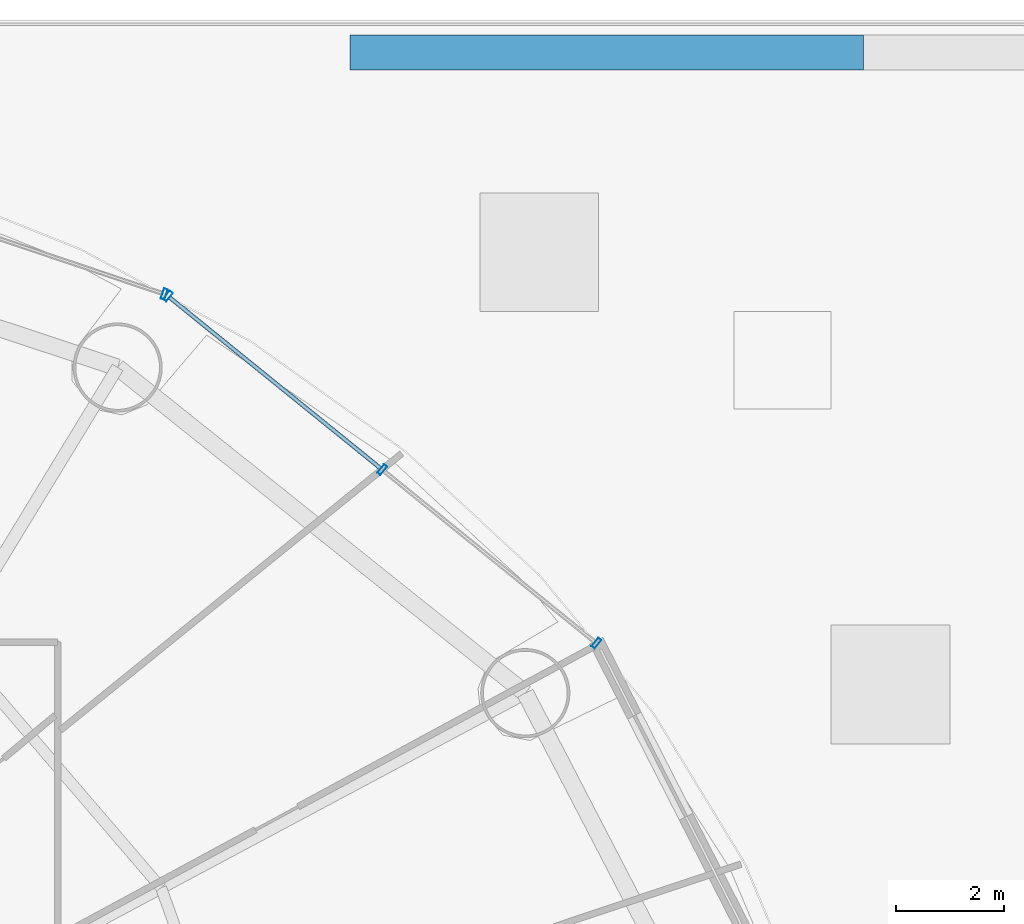
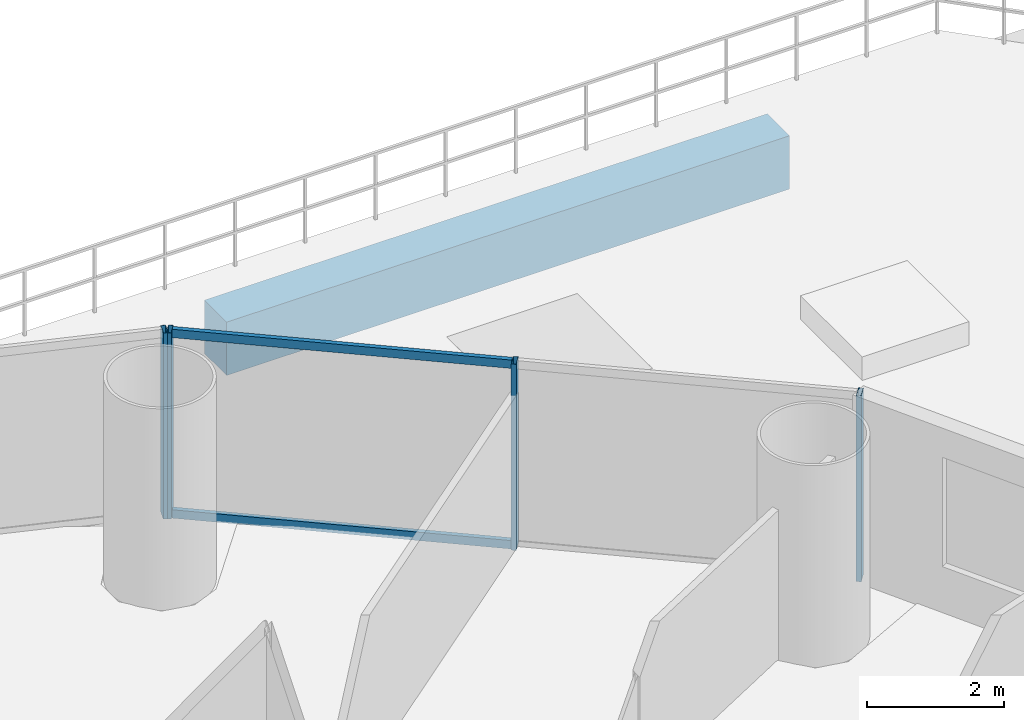
# One storey, part 28 of 37: 6 members, 1 beam, 2 elements without a shape of their own.
"""IFC4 building model written with IfcOpenShell, lengths in metres."""

from ifc_helpers import new_model, si_unit, direction, frame, origin, origin_2d, place, context, subcontext, project, spatial, rectangle, hollow_rectangle, extrude, source, transform, mapped, material, material_profile, profile_set, type_object, element, aggregate, save


model = new_model("IFC4")

# Units and contexts
model_context = context("Model", 3, precision=1e-05, world=origin(), true_north=direction((-0.2419218956, 0.970295726276)))
body_context = subcontext(model_context, "Body", "Model", "MODEL_VIEW")
ifc_project = project(units=[si_unit("LENGTHUNIT", "METRE"), si_unit("AREAUNIT", "SQUARE_METRE"), si_unit("VOLUMEUNIT", "CUBIC_METRE"), si_unit("PLANEANGLEUNIT", "RADIAN"), si_unit("MASSUNIT", "GRAM", prefix="KILO")], contexts=[model_context])

# Site, building, storey
site_placement = place(None, origin())
site = spatial("IfcSite", under=ifc_project, at=site_placement, CompositionType="ELEMENT")
building_placement = place(site_placement, origin())
building = spatial("IfcBuilding", under=site, at=building_placement, Name="Cobrevalo Terracotta Tower", CompositionType="ELEMENT")
storey_placement = place(building_placement, frame((0.0, 0.0, 24.0)))
storey = spatial("IfcBuildingStorey", under=building, at=storey_placement, Name="L05", CompositionType="ELEMENT", Elevation=24.0)

# Beam
ifc_material_1 = material(Name="Concrete C50", Category="concrete")
ifc_material_profile_1 = material_profile(ifc_material_1, rectangle(XDim=0.64990234375, YDim=0.949951171875, at=origin_2d()), Name="RC BM 650x950")
ifc_profile_set_1 = profile_set([ifc_material_profile_1], Name="Concrete C50")
beam_type = type_object("IfcBeamType", Name="Structural Spandrel RC BM 650x950 (Concrete C50)", PredefinedType="SPANDREL", material=ifc_profile_set_1)
beam_placement = place(storey_placement, frame((57.5, 50.800048828125, -0.7548828125), z_axis=(1.0, 0.0, 0.0), x_axis=(0.0, 1.0, 0.0)))
element("IfcBeam", 1, at=beam_placement, inside=storey, type_object=beam_type, Name="L05 podium grid beam G7-GG to G8-GG", PredefinedType="SPANDREL", context=body_context, shape_type="SweptSolid", body=[
    extrude(rectangle(XDim=0.64990234375, YDim=0.949951171875, at=origin_2d()), origin(), (0.0, 0.0, 1.0), 9.5),
])

# Curtain wall, members
ifc_material_2 = material(Name="Anodized aluminium", Category="aluminium")
curtain_wall_type = type_object("IfcCurtainWallType", Name="Lower-tower unitised acoustic low-E curtain wall CW-U1", PredefinedType="NOTDEFINED", material=ifc_material_2)
curtain_wall_1_placement = place(storey_placement, origin())
curtain_wall_1 = element("IfcCurtainWall", 2, at=curtain_wall_1_placement, inside=storey, type_object=curtain_wall_type, Name="L05 curtain wall CW-L05-S02", PredefinedType="NOTDEFINED")
ifc_material_profile_2 = material_profile(ifc_material_2, hollow_rectangle(XDim=0.074951171875, YDim=0.199951171875, WallThickness=0.0048828125, at=origin_2d()), Name="CWM 75x200")
ifc_profile_set_2 = profile_set([ifc_material_profile_2], Name="Anodized aluminium")
member_type_1 = type_object("IfcMemberType", Name="Lower/mid tower unitised mullion 75x200", PredefinedType="MULLION", material=ifc_profile_set_2)
shared_shape_1 = source(origin(), body_context, "Body", "SweptSolid", [
    extrude(hollow_rectangle(XDim=0.074951171875, YDim=0.199951171875, WallThickness=0.0048828125, at=origin_2d()), origin(), (0.0, 0.0, 1.0), 3.320068359375),
])
member_1_placement = place(storey_placement, frame((62.056640625, 39.864501953125, 0.0), z_axis=(0.0, 0.0, 1.0), x_axis=(-0.777003153187, 0.629496703675, 0.0)))
member_1 = element("IfcMember", 3, at=member_1_placement, type_object=member_type_1, Name="CW-L05-S02 vertical mullion 01", PredefinedType="MULLION", context=body_context, shape_type="MappedRepresentation", body=[
    mapped(shared_shape_1, transform((0.0, 0.0, 0.0), scale=1.0)),
])
member_2_placement = place(storey_placement, frame((58.09130859375, 43.076904296875, 0.0), z_axis=(0.0, 0.0, 1.0), x_axis=(-0.777003153187, 0.629496703675, 0.0)))
member_2 = element("IfcMember", 4, at=member_2_placement, type_object=member_type_1, Name="CW-L05-S02 vertical mullion 02", PredefinedType="MULLION", context=body_context, shape_type="MappedRepresentation", body=[
    mapped(shared_shape_1, transform((0.0, 0.0, 0.0), scale=1.0)),
])
member_3_placement = place(storey_placement, frame((54.1259765625, 46.289306640625, 0.0), z_axis=(0.0, 0.0, 1.0), x_axis=(-0.777003153187, 0.629496703675, 0.0)))
member_3 = element("IfcMember", 5, at=member_3_placement, type_object=member_type_1, Name="CW-L05-S02 vertical mullion 03", PredefinedType="MULLION", context=body_context, shape_type="MappedRepresentation", body=[
    mapped(shared_shape_1, transform((0.0, 0.0, 0.0), scale=1.0)),
])

# Curtain wall, member
curtain_wall_2_placement = place(storey_placement, origin())
curtain_wall_2 = element("IfcCurtainWall", 6, at=curtain_wall_2_placement, inside=storey, type_object=curtain_wall_type, Name="L05 curtain wall CW-L05-S03", PredefinedType="NOTDEFINED")
member_4_placement = place(storey_placement, frame((54.056884765625, 46.327392578125, 0.0), z_axis=(0.0, 0.0, 1.0), x_axis=(-0.948046393597, 0.318132103987, 0.0)))
member_4 = element("IfcMember", 7, at=member_4_placement, type_object=member_type_1, Name="CW-L05-S03 vertical mullion 01", PredefinedType="MULLION", context=body_context, shape_type="MappedRepresentation", body=[
    mapped(shared_shape_1, transform((0.0, 0.0, 0.0), scale=1.0)),
])
aggregate(curtain_wall_2, [member_4])

# Member
ifc_material_profile_3 = material_profile(ifc_material_2, hollow_rectangle(XDim=0.074951171875, YDim=0.14990234375, WallThickness=0.00439453125, at=origin_2d()), Name="CWT 75x150")
ifc_profile_set_3 = profile_set([ifc_material_profile_3], Name="Anodized aluminium")
member_type_2 = type_object("IfcMemberType", Name="Tower unitised aluminium transom 75x150", PredefinedType="USERDEFINED", material=ifc_profile_set_3)
shared_shape_2 = source(origin(), body_context, "Body", "SweptSolid", [
    extrude(hollow_rectangle(XDim=0.074951171875, YDim=0.14990234375, WallThickness=0.00439453125, at=origin_2d()), origin(), (0.0, 0.0, 1.0), 5.0234375),
])
member_5_placement = place(storey_placement, frame((58.060302734375, 43.10205078125, 0.050048828125), z_axis=(-0.777022991593, 0.629472215857, 0.0), x_axis=(-0.629472215857, -0.777022991593, 0.0)))
member_5 = element("IfcMember", 8, at=member_5_placement, type_object=member_type_2, Name="CW-L05-S02 transom B02-T1", ObjectType="TRANSOM", PredefinedType="USERDEFINED", context=body_context, shape_type="MappedRepresentation", body=[
    mapped(shared_shape_2, transform((0.0, 0.0, 0.0), scale=1.0)),
])

member_6_placement = place(storey_placement, frame((58.060302734375, 43.10205078125, 3.27001953125), z_axis=(-0.777022991593, 0.629472215857, 0.0), x_axis=(-0.629472215857, -0.777022991593, 0.0)))
member_6 = element("IfcMember", 9, at=member_6_placement, type_object=member_type_2, Name="CW-L05-S02 transom B02-T2", ObjectType="TRANSOM", PredefinedType="USERDEFINED", context=body_context, shape_type="MappedRepresentation", body=[
    mapped(shared_shape_2, transform((0.0, 0.0, 0.0), scale=1.0)),
])

aggregate(curtain_wall_1, [member_1, member_2, member_3, member_5, member_6])

save(model, "model.ifc")
